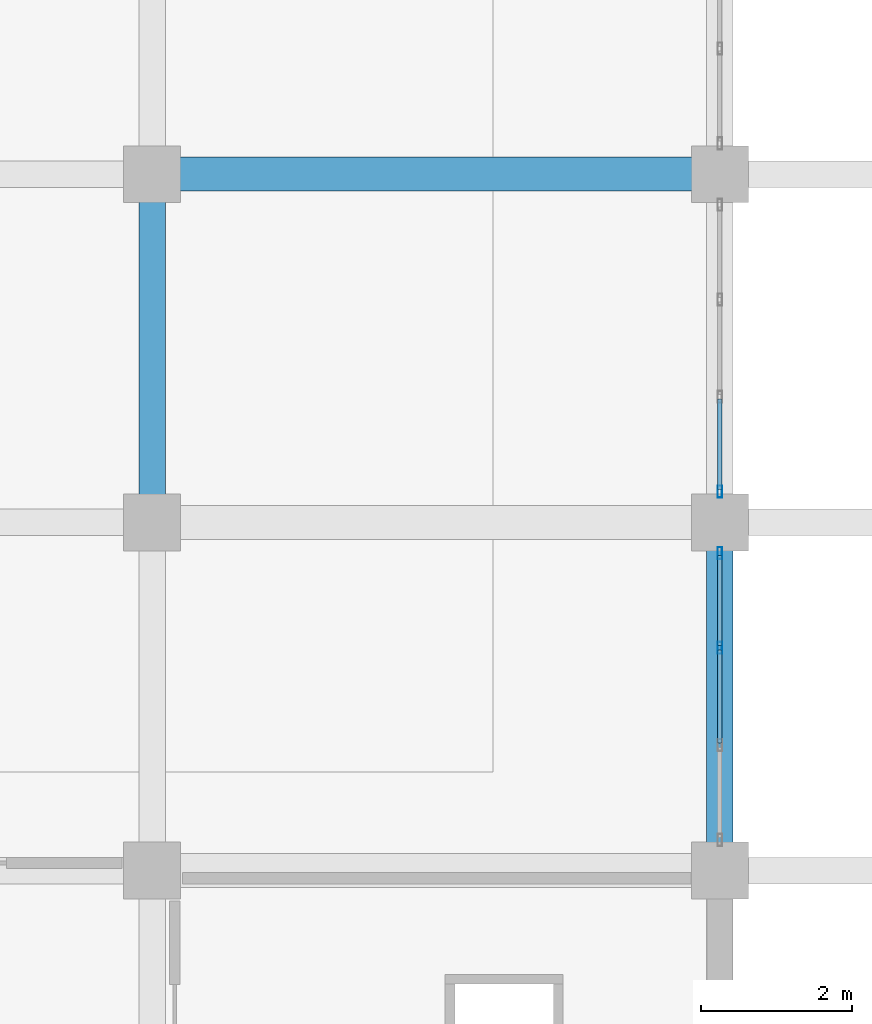
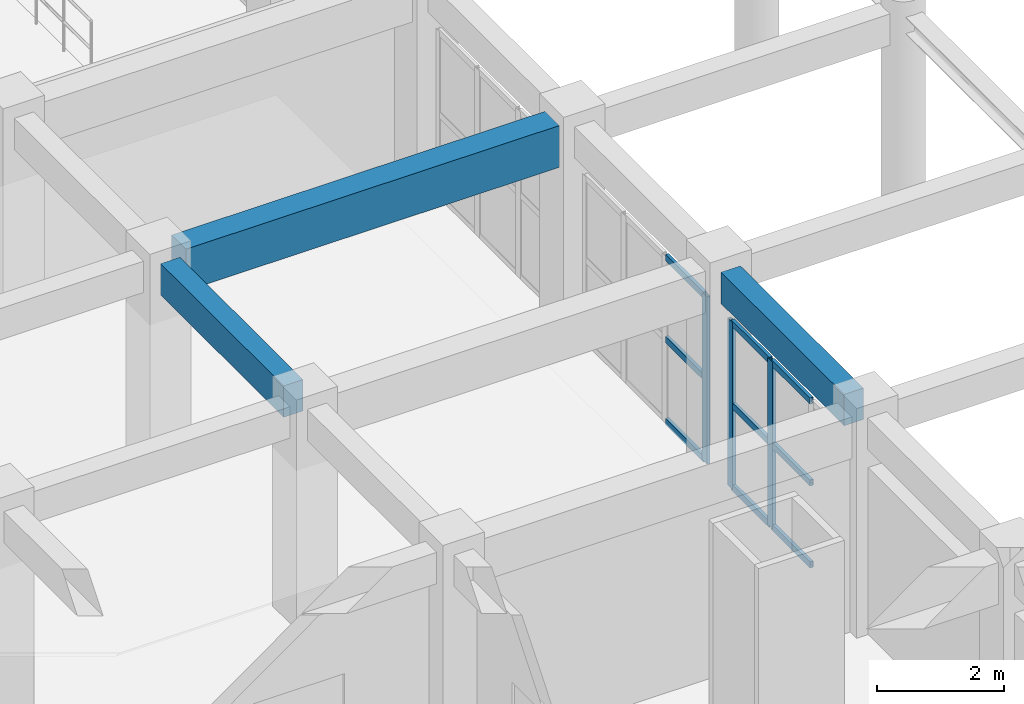
# One storey, part 72 of 116: 12 members, 3 beams, 2 elements without a shape of their own.
"""IFC4 building model written with IfcOpenShell, lengths in metres."""

from ifc_helpers import new_model, si_unit, direction, frame, origin, origin_2d, place, context, subcontext, project, spatial, rectangle, hollow_rectangle, extrude, material, layer, layer_set, material_profile, profile_set, type_object, element, aggregate, save


model = new_model("IFC4")

# Units and contexts
model_context = context("Model", 3, precision=1e-05, world=origin(), true_north=direction((0.0, 1.0)))
body_context = subcontext(model_context, "Body", "Model", "MODEL_VIEW")
ifc_project = project(units=[si_unit("LENGTHUNIT", "METRE"), si_unit("AREAUNIT", "SQUARE_METRE"), si_unit("VOLUMEUNIT", "CUBIC_METRE"), si_unit("PLANEANGLEUNIT", "RADIAN"), si_unit("MASSUNIT", "GRAM", prefix="KILO")], contexts=[model_context])

# Site, building, storey
site_placement = place(None, origin())
site = spatial("IfcSite", under=ifc_project, at=site_placement, CompositionType="ELEMENT")
building_placement = place(site_placement, origin())
building = spatial("IfcBuilding", under=site, at=building_placement, Name="Muzn Square Opera House", CompositionType="ELEMENT")
storey_placement = place(building_placement, frame((0.0, 0.0, 5.39990234375)))
storey = spatial("IfcBuildingStorey", under=building, at=storey_placement, Name="L01", CompositionType="ELEMENT", Elevation=5.39990234375)

# Curtain wall, members
ifc_material_1 = material(Name="Low-E laminated acoustic double glazing", Category="glass")
ifc_layer = layer(ifc_material_1, 0.159912109375, Name="Low-E laminated acoustic double glazing", Category="glass")
ifc_layer_set = layer_set([ifc_layer], Name="Low-E laminated acoustic double glazing")
curtain_wall_type = type_object("IfcCurtainWallType", Name="Glazed Curtain Wall EastBlvd 3850x3200", PredefinedType="USERDEFINED", material=ifc_layer_set)
curtain_wall_1_placement = place(storey_placement, origin())
curtain_wall_1 = element("IfcCurtainWall", 1, at=curtain_wall_1_placement, inside=storey, type_object=curtain_wall_type, Name="Glazed Curtain Wall CW-L01-116", ObjectType="GLAZED CURTAIN WALL", PredefinedType="USERDEFINED")
ifc_material_2 = material(Name="Anodised bronze aluminium 6063-T6", Category="metal")
ifc_material_profile_1 = material_profile(ifc_material_2, hollow_rectangle(XDim=0.06005859375, YDim=0.159912109375, WallThickness=0.00390625, at=origin_2d()), Name="ALU 160x60x4", Category="metal")
ifc_profile_set_1 = profile_set([ifc_material_profile_1], Name="Anodised bronze aluminium 6063-T6")
member_type_1 = type_object("IfcMemberType", Name="Curtain Wall Mullion 160x60", PredefinedType="MULLION", material=ifc_profile_set_1)
member_1_placement = place(storey_placement, frame((170.0, 57.1416015625, 0.0), z_axis=(0.0, 0.0, 1.0), x_axis=(-1.0, 0.0, 0.0)))
member_1 = element("IfcMember", 2, at=member_1_placement, type_object=member_type_1, Name="CW-EBL-38x32 mullion 3", PredefinedType="MULLION", context=body_context, shape_type="SweptSolid", body=[
    extrude(hollow_rectangle(XDim=0.06005859375, YDim=0.159912109375, WallThickness=0.00390625, at=origin_2d()), origin(), (0.0, 0.0, 1.0), 3.2001953125),
])
member_2_placement = place(storey_placement, frame((170.0, 58.39501953125, 0.0), z_axis=(0.0, 0.0, 1.0), x_axis=(-1.0, 0.0, 0.0)))
member_2 = element("IfcMember", 3, at=member_2_placement, type_object=member_type_1, Name="CW-EBL-38x32 mullion 4", PredefinedType="MULLION", context=body_context, shape_type="SweptSolid", body=[
    extrude(hollow_rectangle(XDim=0.06005859375, YDim=0.159912109375, WallThickness=0.00390625, at=origin_2d()), origin(), (0.0, 0.0, 1.0), 3.2001953125),
])

# Curtain wall, member
curtain_wall_2_placement = place(storey_placement, origin())
curtain_wall_2 = element("IfcCurtainWall", 4, at=curtain_wall_2_placement, inside=storey, type_object=curtain_wall_type, Name="Glazed Curtain Wall CW-L01-117", ObjectType="GLAZED CURTAIN WALL", PredefinedType="USERDEFINED")
member_3_placement = place(storey_placement, frame((170.0, 59.205078125, 0.0), z_axis=(0.0, 0.0, 1.0), x_axis=(-1.0, 0.0, 0.0)))
member_3 = element("IfcMember", 5, at=member_3_placement, type_object=member_type_1, Name="CW-EBL-38x32 mullion 1", PredefinedType="MULLION", context=body_context, shape_type="SweptSolid", body=[
    extrude(hollow_rectangle(XDim=0.06005859375, YDim=0.159912109375, WallThickness=0.00390625, at=origin_2d()), origin(), (0.0, 0.0, 1.0), 3.2001953125),
])

# Member
ifc_material_profile_2 = material_profile(ifc_material_2, hollow_rectangle(XDim=0.06005859375, YDim=0.1201171875, WallThickness=0.00390625, at=origin_2d()), Name="ALU 120x60x4", Category="metal")
ifc_profile_set_2 = profile_set([ifc_material_profile_2], Name="Anodised bronze aluminium 6063-T6")
member_type_2 = type_object("IfcMemberType", Name="Curtain Wall Transom 120x60", PredefinedType="USERDEFINED", material=ifc_profile_set_2)
member_4_placement = place(storey_placement, frame((170.0, 55.888427734375, 0.030029296875), z_axis=(0.0, 1.0, 0.0), x_axis=(-1.0, 0.0, 0.0)))
member_4 = element("IfcMember", 6, at=member_4_placement, type_object=member_type_2, Name="CW-EBL-38x32 transom 2.1", ObjectType="TRANSOM", PredefinedType="USERDEFINED", context=body_context, shape_type="SweptSolid", body=[
    extrude(hollow_rectangle(XDim=0.06005859375, YDim=0.1201171875, WallThickness=0.00390625, at=origin_2d()), origin(), (0.0, 0.0, 1.0), 1.22314453125),
])

member_5_placement = place(storey_placement, frame((170.0, 55.888427734375, 1.60009765625), z_axis=(0.0, 1.0, 0.0), x_axis=(-1.0, 0.0, 0.0)))
member_5 = element("IfcMember", 7, at=member_5_placement, type_object=member_type_2, Name="CW-EBL-38x32 transom 2.2", ObjectType="TRANSOM", PredefinedType="USERDEFINED", context=body_context, shape_type="SweptSolid", body=[
    extrude(hollow_rectangle(XDim=0.06005859375, YDim=0.1201171875, WallThickness=0.00390625, at=origin_2d()), origin(), (0.0, 0.0, 1.0), 1.22314453125),
])

member_6_placement = place(storey_placement, frame((170.0, 55.888427734375, 3.170166015625), z_axis=(0.0, 1.0, 0.0), x_axis=(-1.0, 0.0, 0.0)))
member_6 = element("IfcMember", 8, at=member_6_placement, type_object=member_type_2, Name="CW-EBL-38x32 transom 2.3", ObjectType="TRANSOM", PredefinedType="USERDEFINED", context=body_context, shape_type="SweptSolid", body=[
    extrude(hollow_rectangle(XDim=0.06005859375, YDim=0.1201171875, WallThickness=0.00390625, at=origin_2d()), origin(), (0.0, 0.0, 1.0), 1.22314453125),
])

member_7_placement = place(storey_placement, frame((170.0, 57.171630859375, 0.030029296875), z_axis=(0.0, 1.0, 0.0), x_axis=(-1.0, 0.0, 0.0)))
member_7 = element("IfcMember", 9, at=member_7_placement, type_object=member_type_2, Name="CW-EBL-38x32 transom 3.1", ObjectType="TRANSOM", PredefinedType="USERDEFINED", context=body_context, shape_type="SweptSolid", body=[
    extrude(hollow_rectangle(XDim=0.06005859375, YDim=0.1201171875, WallThickness=0.00390625, at=origin_2d()), origin(), (0.0, 0.0, 1.0), 1.193359375),
])

member_8_placement = place(storey_placement, frame((170.0, 57.171630859375, 1.60009765625), z_axis=(0.0, 1.0, 0.0), x_axis=(-1.0, 0.0, 0.0)))
member_8 = element("IfcMember", 10, at=member_8_placement, type_object=member_type_2, Name="CW-EBL-38x32 transom 3.2", ObjectType="TRANSOM", PredefinedType="USERDEFINED", context=body_context, shape_type="SweptSolid", body=[
    extrude(hollow_rectangle(XDim=0.06005859375, YDim=0.1201171875, WallThickness=0.00390625, at=origin_2d()), origin(), (0.0, 0.0, 1.0), 1.193359375),
])

member_9_placement = place(storey_placement, frame((170.0, 57.171630859375, 3.170166015625), z_axis=(0.0, 1.0, 0.0), x_axis=(-1.0, 0.0, 0.0)))
member_9 = element("IfcMember", 11, at=member_9_placement, type_object=member_type_2, Name="CW-EBL-38x32 transom 3.3", ObjectType="TRANSOM", PredefinedType="USERDEFINED", context=body_context, shape_type="SweptSolid", body=[
    extrude(hollow_rectangle(XDim=0.06005859375, YDim=0.1201171875, WallThickness=0.00390625, at=origin_2d()), origin(), (0.0, 0.0, 1.0), 1.193359375),
])

aggregate(curtain_wall_1, [member_1, member_2, member_4, member_5, member_6, member_7, member_8, member_9])

member_10_placement = place(storey_placement, frame((170.0, 59.235107421875, 0.030029296875), z_axis=(0.0, 1.0, 0.0), x_axis=(-1.0, 0.0, 0.0)))
member_10 = element("IfcMember", 12, at=member_10_placement, type_object=member_type_2, Name="CW-EBL-38x32 transom 1.1", ObjectType="TRANSOM", PredefinedType="USERDEFINED", context=body_context, shape_type="SweptSolid", body=[
    extrude(hollow_rectangle(XDim=0.06005859375, YDim=0.1201171875, WallThickness=0.00390625, at=origin_2d()), origin(), (0.0, 0.0, 1.0), 1.193115234375),
])

member_11_placement = place(storey_placement, frame((170.0, 59.235107421875, 1.60009765625), z_axis=(0.0, 1.0, 0.0), x_axis=(-1.0, 0.0, 0.0)))
member_11 = element("IfcMember", 13, at=member_11_placement, type_object=member_type_2, Name="CW-EBL-38x32 transom 1.2", ObjectType="TRANSOM", PredefinedType="USERDEFINED", context=body_context, shape_type="SweptSolid", body=[
    extrude(hollow_rectangle(XDim=0.06005859375, YDim=0.1201171875, WallThickness=0.00390625, at=origin_2d()), origin(), (0.0, 0.0, 1.0), 1.193115234375),
])

member_12_placement = place(storey_placement, frame((170.0, 59.235107421875, 3.170166015625), z_axis=(0.0, 1.0, 0.0), x_axis=(-1.0, 0.0, 0.0)))
member_12 = element("IfcMember", 14, at=member_12_placement, type_object=member_type_2, Name="CW-EBL-38x32 transom 1.3", ObjectType="TRANSOM", PredefinedType="USERDEFINED", context=body_context, shape_type="SweptSolid", body=[
    extrude(hollow_rectangle(XDim=0.06005859375, YDim=0.1201171875, WallThickness=0.00390625, at=origin_2d()), origin(), (0.0, 0.0, 1.0), 1.193115234375),
])

aggregate(curtain_wall_2, [member_3, member_10, member_11, member_12])

# Beams
ifc_material_3 = material(Name="Concrete C40/50", Category="concrete")
ifc_material_profile_3 = material_profile(ifc_material_3, rectangle(XDim=0.35009765625, YDim=0.60009765625, at=origin_2d()), Name="RCB 350x600", Category="concrete")
ifc_profile_set_3 = profile_set([ifc_material_profile_3], Name="Concrete C40/50")
beam_type_1 = type_object("IfcBeamType", Name="Primary Girder 350x600", PredefinedType="BEAM", material=ifc_profile_set_3)
beam_1_placement = place(storey_placement, frame((162.5, 59.1669921875, 3.85009765625), z_axis=(0.0, 1.0, 0.0), x_axis=(-1.0, 0.0, 0.0)))
element("IfcBeam", 15, at=beam_1_placement, inside=storey, type_object=beam_type_1, Name="Primary Girder BM-L01-BM-PG600-1625_592_1625_630-1761", PredefinedType="BEAM", context=body_context, shape_type="SweptSolid", body=[
    extrude(rectangle(XDim=0.35009765625, YDim=0.60009765625, at=origin_2d()), origin(), (0.0, 0.0, 1.0), 3.865966796875),
])
beam_2_placement = place(storey_placement, frame((170.0, 54.56689453125, 3.85009765625), z_axis=(0.0, 1.0, 0.0), x_axis=(-1.0, 0.0, 0.0)))
element("IfcBeam", 16, at=beam_2_placement, inside=storey, type_object=beam_type_1, Name="Primary Girder BM-L01-BM-PG600-1700_546_1700_584-1775", PredefinedType="BEAM", context=body_context, shape_type="SweptSolid", body=[
    extrude(rectangle(XDim=0.35009765625, YDim=0.60009765625, at=origin_2d()), origin(), (0.0, 0.0, 1.0), 3.8662109375),
])
ifc_material_profile_4 = material_profile(ifc_material_3, rectangle(XDim=0.449951171875, YDim=0.800048828125, at=origin_2d()), Name="RCB 450x800", Category="concrete")
ifc_profile_set_4 = profile_set([ifc_material_profile_4], Name="Concrete C40/50")
beam_type_2 = type_object("IfcBeamType", Name="Primary Girder 450x800", PredefinedType="BEAM", material=ifc_profile_set_4)
beam_3_placement = place(storey_placement, frame((162.866943359375, 63.39990234375, 3.75), z_axis=(1.0, 0.0, 0.0), x_axis=(0.0, 1.0, 0.0)))
element("IfcBeam", 17, at=beam_3_placement, inside=storey, type_object=beam_type_2, Name="Primary Girder BM-L01-BM-PG800-1629_634_1696_634-1410", PredefinedType="BEAM", context=body_context, shape_type="SweptSolid", body=[
    extrude(rectangle(XDim=0.449951171875, YDim=0.800048828125, at=origin_2d()), origin(), (0.0, 0.0, 1.0), 6.76611328125),
])

save(model, "model.ifc")
